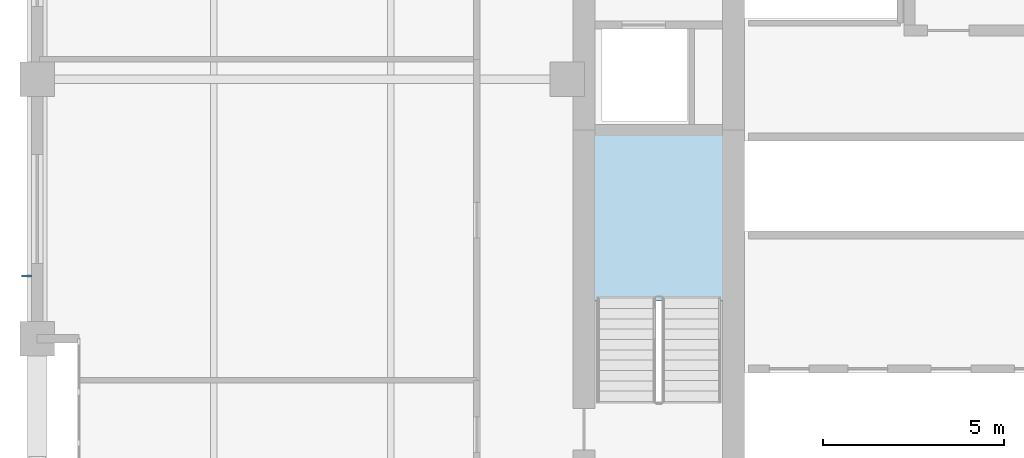
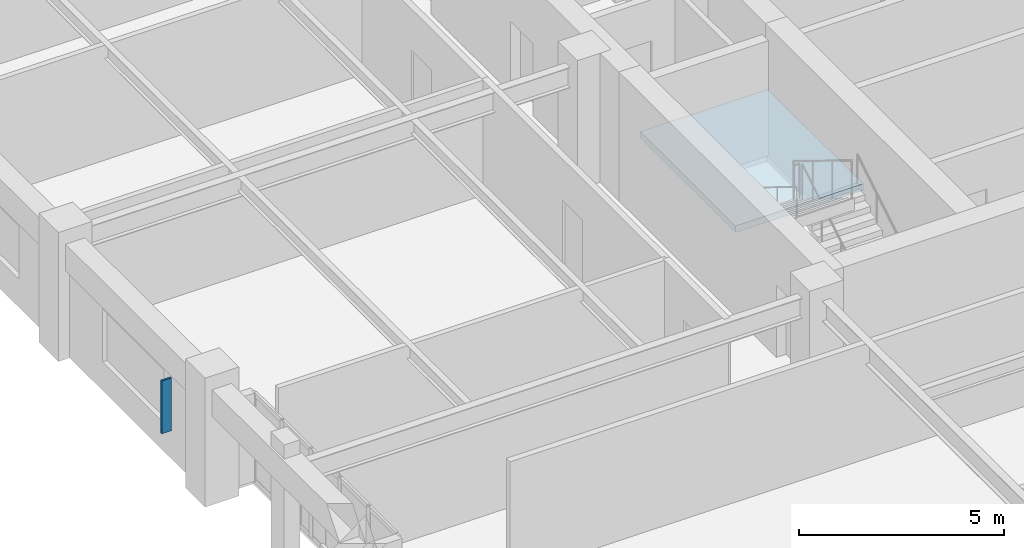
# One storey, part 6 of 14: 1 plate, 1 slab, 1 element without a shape of its own.
"""IFC4 building model written with IfcOpenShell, lengths in metres."""

from ifc_helpers import new_model, si_unit, direction, frame, origin, origin_2d, place, context, subcontext, project, spatial, polyline, rectangle, outline, extrude, material, layer, layer_set, type_object, element, aggregate, save


model = new_model("IFC4")

# Units and contexts
model_context = context("Model", 3, precision=1e-05, world=origin(), true_north=direction((0.0, 1.0)))
body_context = subcontext(model_context, "Body", "Model", "MODEL_VIEW")
ifc_project = project(units=[si_unit("LENGTHUNIT", "METRE"), si_unit("AREAUNIT", "SQUARE_METRE"), si_unit("VOLUMEUNIT", "CUBIC_METRE"), si_unit("PLANEANGLEUNIT", "RADIAN"), si_unit("MASSUNIT", "GRAM", prefix="KILO")], contexts=[model_context])

# Site, building, storey
site_placement = place(None, origin())
site = spatial("IfcSite", under=ifc_project, at=site_placement, CompositionType="ELEMENT")
building_placement = place(site_placement, origin())
building = spatial("IfcBuilding", under=site, at=building_placement, Name="Nhamokura Convention Tower", CompositionType="ELEMENT")
storey_placement = place(building_placement, frame((0.0, 0.0, 172.199951171875)))
storey = spatial("IfcBuildingStorey", under=building, at=storey_placement, Name="L42", CompositionType="ELEMENT", Elevation=172.199951171875)

# Plate
ifc_material_1 = material(Name="Anodised bronze aluminium AA6063-T6", Category="aluminium")
plate_type = type_object("IfcPlateType", Name="BronzeSolarFin_2", PredefinedType="USERDEFINED", material=ifc_material_1)
plate_placement = place(storey_placement, frame((5.699951171875, 26.566650390625, 0.85009765625), z_axis=(0.0, 0.0, 1.0), x_axis=(1.0, 0.0, 0.0)))
element("IfcPlate", 1, at=plate_placement, inside=storey, type_object=plate_type, Name="L42 Bronze Solar Shading Fin WEST 2", ObjectType="SOLAR_FIN", PredefinedType="USERDEFINED", context=body_context, shape_type="SweptSolid", body=[
    extrude(rectangle(XDim=0.280029296875, YDim=0.06005859375, at=origin_2d()), origin(), (0.0, 0.0, 1.0), 1.580078125),
])

# Stair, slab
ifc_material_2 = material(Name="Concrete C40/50", Category="concrete")
stair_type = type_object("IfcStairType", Name="TowerCoreStair_1650", PredefinedType="HALF_TURN_STAIR", material=ifc_material_2)
stair_placement = place(storey_placement, origin())
stair = element("IfcStair", 2, at=stair_placement, inside=storey, type_object=stair_type, Name="L42 West Core Smokeproof Stair ST-01", PredefinedType="HALF_TURN_STAIR")
ifc_material_3 = material(Name="Concrete C40/50", Category="concrete")
ifc_layer = layer(ifc_material_3, 0.199951171875)
ifc_layer_set = layer_set([ifc_layer], Name="StairLandingSlab_200")
slab_type = type_object("IfcSlabType", Name="StairLandingSlab_200", PredefinedType="LANDING", material=ifc_layer_set)
slab_placement = place(storey_placement, frame((0.0, 0.0, 1.72509765625)))
slab = element("IfcSlab", 3, at=slab_placement, type_object=slab_type, Name="ST-01 landing 1", PredefinedType="LANDING", context=body_context, shape_type="SweptSolid", body=[
    extrude(outline(polyline([(24.97998046875, 25.8701171875), (24.97998046875, 30.530029296875), (21.3701171875, 30.530029296875), (21.3701171875, 25.8701171875), (24.97998046875, 25.8701171875)])), origin(), (0.0, 0.0, 1.0), 0.199951171875),
])
aggregate(stair, [slab])

save(model, "model.ifc")
